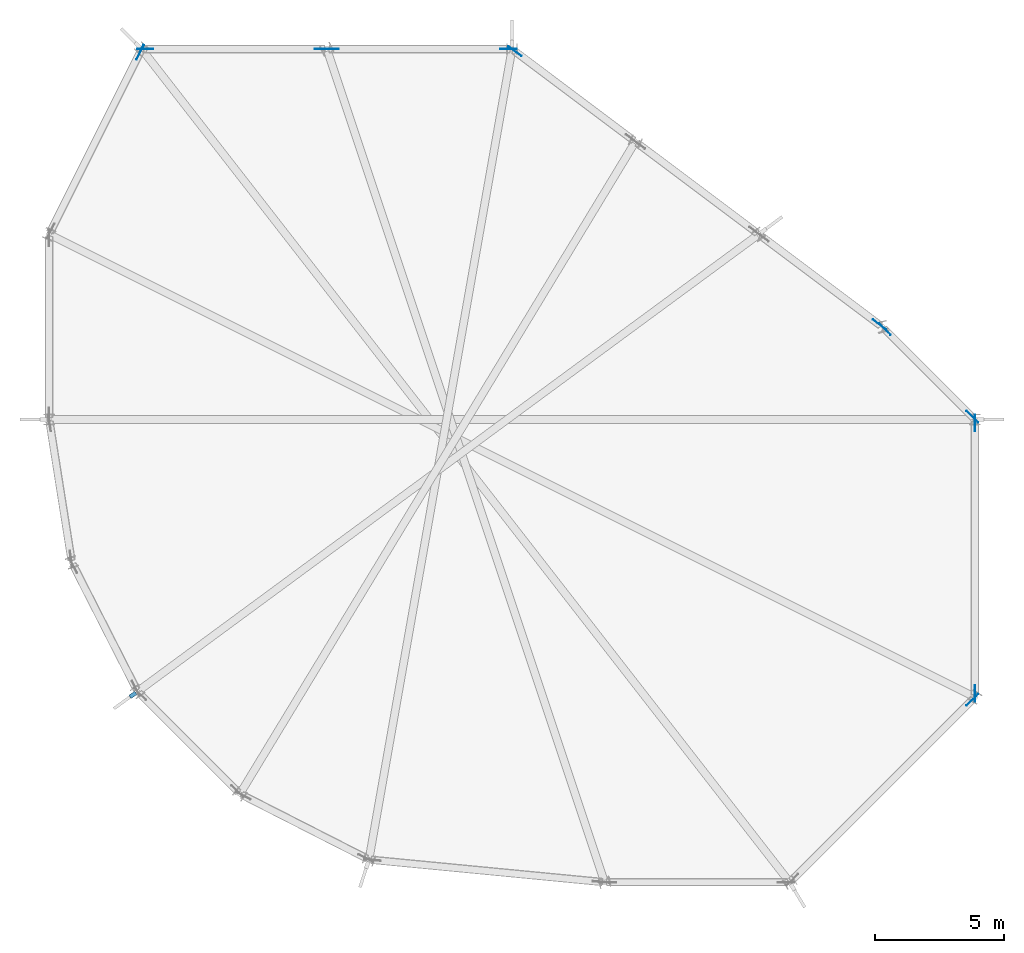
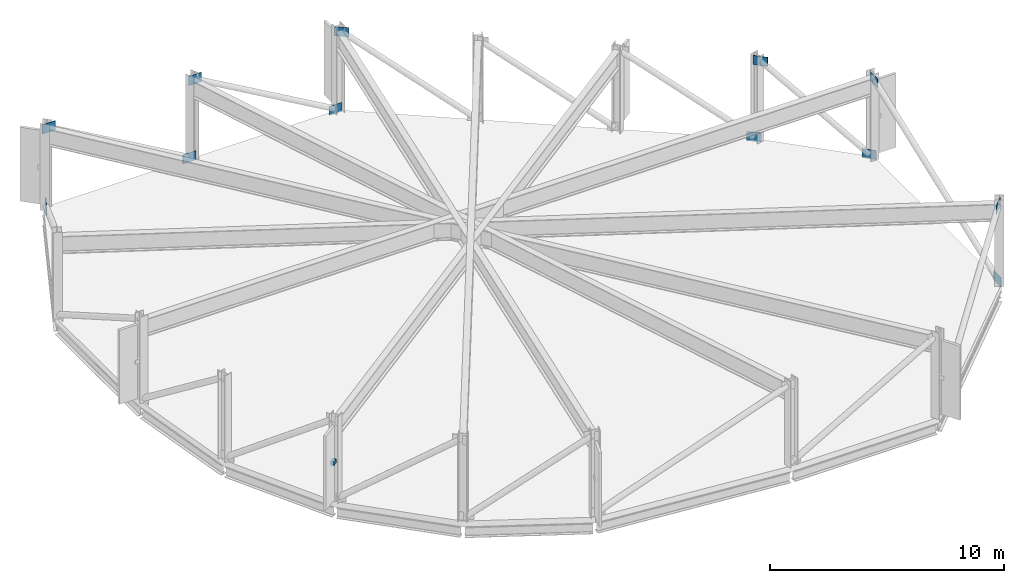
# One storey, part 3 of 5: 12 plates, 1 discrete accessory.
"""IFC4 building model written with IfcOpenShell, lengths in metres."""

from ifc_helpers import new_model, si_unit, direction, frame, origin, origin_2d, place, context, subcontext, project, spatial, rectangle, extrude, material, layer, layer_set, type_object, element, save


model = new_model("IFC4")

# Units and contexts
model_context = context("Model", 3, precision=1e-05, world=origin(), true_north=direction((0.0, 1.0)))
body_context = subcontext(model_context, "Body", "Model", "MODEL_VIEW")
ifc_project = project(units=[si_unit("LENGTHUNIT", "METRE"), si_unit("AREAUNIT", "SQUARE_METRE"), si_unit("VOLUMEUNIT", "CUBIC_METRE"), si_unit("PLANEANGLEUNIT", "RADIAN"), si_unit("MASSUNIT", "GRAM", prefix="KILO")], contexts=[model_context])

# Site, building, storey
site_placement = place(None, origin())
site = spatial("IfcSite", under=ifc_project, at=site_placement, CompositionType="ELEMENT")
building_placement = place(site_placement, origin())
building = spatial("IfcBuilding", under=site, at=building_placement, Name="Solnavia Interchange Tower", CompositionType="ELEMENT")
storey_placement = place(building_placement, frame((0.0, 0.0, 326.699951171875)))
storey = spatial("IfcBuildingStorey", under=building, at=storey_placement, Name="C06", CompositionType="ELEMENT", Elevation=326.699951171875)

# Plates
ifc_material_1 = material(Name="Steel S460", Category="steel")
ifc_layer = layer(ifc_material_1, 0.02490234375)
ifc_layer_set = layer_set([ifc_layer], Name="Steel S460")
plate_type = type_object("IfcPlateType", Name="Plate-Gusset-640x480x25", PredefinedType="USERDEFINED", material=ifc_layer_set)
for number, where, z_axis, x_axis, name in (
    (1, (43.10107421875, 21.698974609375, -0.06005859375), (0.0, 0.0, 1.0), (-0.707106781187, 0.707106781187, 0.0), "PLT-C06-GP01 Crown frame node gusset plate"),
    (2, (39.698974609375, 25.10107421875, 3.920166015625), (0.0, 0.0, 1.0), (-0.707106781187, 0.707106781187, 0.0), "PLT-C06-GP02 Crown frame node gusset plate"),
    (3, (39.488037109375, 25.283935546875, -0.06005859375), (0.0, 0.0, 1.0), (-0.799998928149, 0.600001429133, 0.0), "PLT-C06-GP03 Crown frame node gusset plate"),
    (4, (25.31201171875, 35.916015625, 3.920166015625), (0.0, 0.0, 1.0), (-0.799998928149, 0.600001429133, 0.0), "PLT-C06-GP08 Crown frame node gusset plate"),
    (5, (25.06005859375, 36.0, -0.06005859375), (0.0, 0.0, 1.0), (-1.0, 0.0, 0.0), "PLT-C06-GP09 Crown frame node gusset plate"),
    (6, (18.139892578125, 36.0, 3.920166015625), (0.0, 0.0, 1.0), (-1.0, 0.0, 0.0), "PLT-C06-GP10 Crown frame node gusset plate"),
    (7, (17.860107421875, 36.0, -0.06005859375), (0.0, 0.0, 1.0), (-1.0, 0.0, 0.0), "PLT-C06-GP11 Crown frame node gusset plate"),
    (8, (10.93994140625, 36.0, 3.920166015625), (0.0, 0.0, 1.0), (-1.0, 0.0, 0.0), "PLT-C06-GP12 Crown frame node gusset plate"),
    (9, (10.7373046875, 35.874755859375, -0.06005859375), (0.0, 0.0, 1.0), (-0.447290848419, -0.89438856037, 0.0), "PLT-C06-GP13 Crown frame node gusset plate"),
    (10, (43.10107421875, 10.700927734375, 3.920166015625), (0.0, 0.0, 1.0), (0.707106781187, 0.707106781187, 0.0), "PLT-C06-GP30 Crown frame node gusset plate"),
    (11, (43.199951171875, 10.93994140625, -0.06005859375), (0.0, 0.0, 1.0), (0.0, 1.0, 0.0), "PLT-C06-GP31 Crown frame node gusset plate"),
    (12, (43.199951171875, 21.4599609375, 3.920166015625), (0.0, 0.0, 1.0), (0.0, 1.0, 0.0), "PLT-C06-GP32 Crown frame node gusset plate"),
):
    element("IfcPlate", number, at=place(storey_placement, frame(where, z_axis=z_axis, x_axis=x_axis)), inside=storey, type_object=plate_type, Name=name, ObjectType="GUSSET PLATE", PredefinedType="USERDEFINED", context=body_context, shape_type="SweptSolid", body=[
        extrude(rectangle(XDim=0.639892578125, YDim=0.02490234375, at=origin_2d()), origin(), (0.0, 0.0, 1.0), 0.47998046875),
    ])

# Discrete accessory
ifc_material_2 = material(Name="Stainless Steel 1.4401", Category="steel")
discrete_accessory_type = type_object("IfcDiscreteAccessoryType", Name="Bracket-Shade-220", PredefinedType="BRACKET", material=ifc_material_2)
discrete_accessory_placement = place(storey_placement, frame((10.4599609375, 10.890625, 2.02490234375), z_axis=(0.0, 0.0, 1.0), x_axis=(-0.809016994375, -0.587785252292, 0.0)))
element("IfcDiscreteAccessory", 13, at=discrete_accessory_placement, inside=storey, type_object=discrete_accessory_type, Name="BRK-C06-F11 Crown fin mounting bracket", PredefinedType="BRACKET", context=body_context, shape_type="SweptSolid", body=[
    extrude(rectangle(XDim=0.280029296875, YDim=0.159912109375, at=origin_2d()), origin(), (0.0, 0.0, 1.0), 0.199951171875),
])

save(model, "model.ifc")
